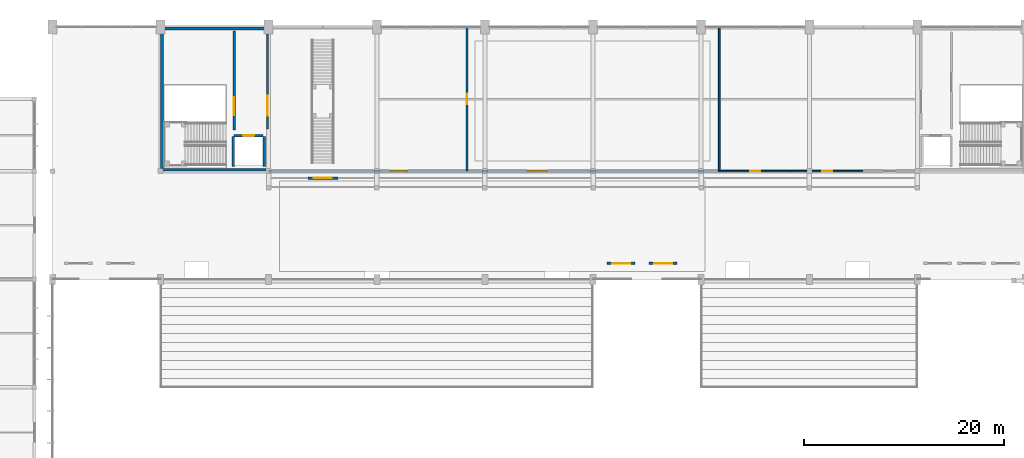
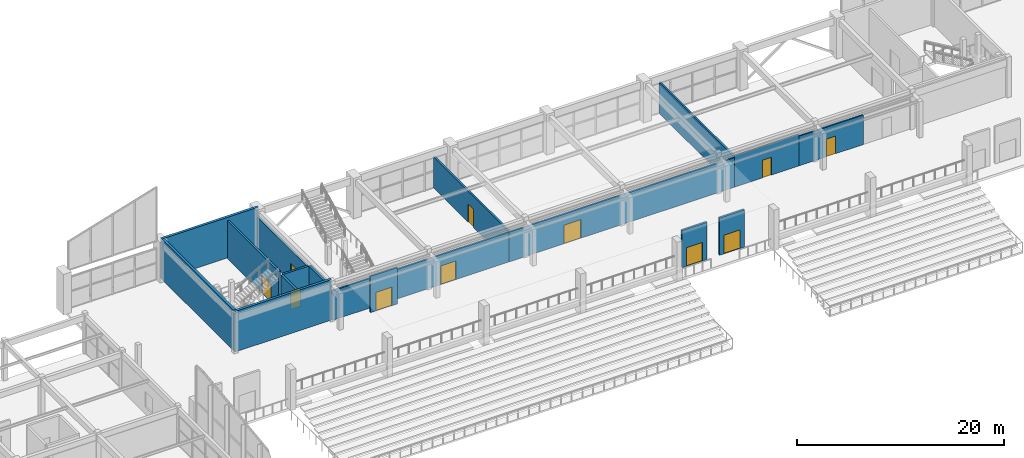
# One storey, part 52 of 74: 17 walls, 11 doors, 11 openings.
"""IFC4 building model written with IfcOpenShell, lengths in metres."""

from ifc_helpers import new_model, si_unit, direction, frame, frame_2d, origin, place, context, subcontext, project, spatial, rectangle, extrude, material, layer, layer_set, type_object, element, fill, save


model = new_model("IFC4")

# Units and contexts
model_context = context("Model", 3, precision=1e-05, world=origin(), true_north=direction((0.0, 1.0)))
body_context = subcontext(model_context, "Body", "Model", "MODEL_VIEW")
ifc_project = project(units=[si_unit("LENGTHUNIT", "METRE"), si_unit("AREAUNIT", "SQUARE_METRE"), si_unit("VOLUMEUNIT", "CUBIC_METRE"), si_unit("PLANEANGLEUNIT", "RADIAN"), si_unit("MASSUNIT", "GRAM", prefix="KILO")], contexts=[model_context])

# Site, building, storey
site_placement = place(None, origin())
site = spatial("IfcSite", under=ifc_project, at=site_placement, CompositionType="ELEMENT")
building_placement = place(site_placement, origin())
building = spatial("IfcBuilding", under=site, at=building_placement, Name="Suirenkawa Promenade Aquatics Centre", CompositionType="ELEMENT")
storey_placement = place(building_placement, frame((0.0, 0.0, 4.800048828125)))
storey = spatial("IfcBuildingStorey", under=building, at=storey_placement, Name="L01", CompositionType="ELEMENT", Elevation=4.800048828125)

# Wall, opening, door
ifc_material_1 = material(Name="Autoclaved aerated concrete blockwork Grade 1", Category="masonry")
ifc_layer_1 = layer(ifc_material_1, 0.199951171875, Name="Autoclaved aerated concrete blockwork Grade 1", Category="masonry")
ifc_layer_set_1 = layer_set([ifc_layer_1], Name="Autoclaved aerated concrete blockwork Grade 1")
wall_type_1 = type_object("IfcWallType", Name="WT-COMP-200", PredefinedType="PARTITIONING", material=ifc_layer_set_1)
wall_1_placement = place(storey_placement, frame((88.199951171875, 108.0, 0.0), z_axis=(0.0, 0.0, 1.0), x_axis=(0.0, 1.0, 0.0)))
wall_1 = element("IfcWall", 1, at=wall_1_placement, inside=storey, type_object=wall_type_1, Name="Interior wall WL-PRT-01 W-7324", PredefinedType="PARTITIONING", context=body_context, shape_type="SweptSolid", body=[
    extrude(rectangle(XDim=14.39990234375, YDim=0.199951171875, at=frame_2d((7.199951171875, 0.0))), origin(), (0.0, 0.0, 1.0), 3.68505859375),
])
opening_1_placement = place(wall_1_placement, frame((6.675048828125, 0.0, 0.0)))
opening_1 = element("IfcOpeningElement", 2, at=opening_1_placement, cuts=wall_1, Name="Opening ID-04", PredefinedType="OPENING", context=body_context, shape_type="SweptSolid", body=[
    extrude(rectangle(XDim=1.050048828125, YDim=2.14990234375, at=frame_2d((0.52490234375, 1.074951171875))), frame((0.0, 0.10986328125, 0.0), z_axis=(0.0, -1.0, 0.0), x_axis=(1.0, 0.0, 0.0)), (0.0, 0.0, 1.0), 0.219970703125),
])
ifc_material_2 = material(Name="Steel IS 2062 E350 (Grade 350)", Category="steel")
door_type_1 = type_object("IfcDoorType", Name="DT-FD120-1050x2150", OperationType="NOTDEFINED", PredefinedType="DOOR", material=ifc_material_2)
door_1_placement = place(opening_1_placement, origin())
door_1 = element("IfcDoor", 3, at=door_1_placement, inside=storey, type_object=door_type_1, Name="Interior door ID-04 DR-INT-0189", OperationType="SINGLE_SWING_RIGHT", OverallHeight=2.14990234375, OverallWidth=1.050048828125, PredefinedType="DOOR", context=body_context, shape_type="SweptSolid", body=[
    extrude(rectangle(XDim=1.050048828125, YDim=2.14990234375, at=frame_2d((0.52490234375, 1.074951171875))), frame((0.0, 0.02490234375, 0.0), z_axis=(0.0, -1.0, 0.0), x_axis=(1.0, 0.0, 0.0)), (0.0, 0.0, 1.0), 0.050048828125),
])
fill(opening_1, door_1)

# Walls
ifc_material_3 = material(Name="Concrete M40", Category="concrete")
ifc_layer_2 = layer(ifc_material_3, 0.280029296875, Name="Concrete M40", Category="concrete")
ifc_layer_set_2 = layer_set([ifc_layer_2], Name="Concrete M40")
wall_type_2 = type_object("IfcWallType", Name="WT-CORE-280", PredefinedType="SHEAR", material=ifc_layer_set_2)
for number, where, z_axis, x_axis, name in (
    (4, (57.60009765625, 108.139892578125, 0.0), (0.0, 0.0, 1.0), (1.0, 0.0, 0.0), "C3 south core wall WL-CORE-02 W-0117"),
    (5, (57.60009765625, 122.260009765625, 0.0), (0.0, 0.0, 1.0), (1.0, 0.0, 0.0), "C3 north core wall WL-CORE-02 W-0118"),
):
    element("IfcWall", number, at=place(storey_placement, frame(where, z_axis=z_axis, x_axis=x_axis)), inside=storey, type_object=wall_type_2, Name=name, PredefinedType="SHEAR", context=body_context, shape_type="SweptSolid", body=[
        extrude(rectangle(XDim=10.7998046875, YDim=0.280029296875, at=frame_2d((5.39990234375, 0.0))), origin(), (0.0, 0.0, 1.0), 4.800048828125),
    ])
wall_2_placement = place(storey_placement, frame((57.739990234375, 108.280029296875, 0.0), z_axis=(0.0, 0.0, 1.0), x_axis=(0.0, 1.0, 0.0)))
element("IfcWall", 6, at=wall_2_placement, inside=storey, type_object=wall_type_2, Name="C3 west core wall WL-CORE-02 W-0119", PredefinedType="SHEAR", context=body_context, shape_type="SweptSolid", body=[
    extrude(rectangle(XDim=13.840087890625, YDim=0.280029296875, at=frame_2d((6.919921875, 0.0))), origin(), (0.0, 0.0, 1.0), 4.800048828125),
])

# Wall, opening, door
ifc_layer_3 = layer(ifc_material_1, 0.179931640625, Name="Autoclaved aerated concrete blockwork Grade 1", Category="masonry")
ifc_layer_set_3 = layer_set([ifc_layer_3], Name="Autoclaved aerated concrete blockwork Grade 1")
wall_type_3 = type_object("IfcWallType", Name="WT-FIRE-180", PredefinedType="PARTITIONING", material=ifc_layer_set_3)
wall_3_placement = place(storey_placement, frame((68.39990234375, 108.0, 0.0), z_axis=(0.0, 0.0, 1.0), x_axis=(1.0, 0.0, 0.0)))
wall_3 = element("IfcWall", 7, at=wall_3_placement, inside=storey, type_object=wall_type_3, Name="Interior wall WL-PRT-02 W-7170", PredefinedType="PARTITIONING", context=body_context, shape_type="SweptSolid", body=[
    extrude(rectangle(XDim=19.800048828125, YDim=0.179931640625, at=frame_2d((9.89990234375, 0.0))), origin(), (0.0, 0.0, 1.0), 3.494873046875),
])
opening_2_placement = place(wall_3_placement, frame((12.199951171875, 0.0, 0.0)))
opening_2 = element("IfcOpeningElement", 8, at=opening_2_placement, cuts=wall_3, Name="Opening ID-05", PredefinedType="OPENING", context=body_context, shape_type="SweptSolid", body=[
    extrude(rectangle(XDim=1.64990234375, YDim=2.199951171875, at=frame_2d((0.824951171875, 1.10009765625))), frame((0.0, 0.099853515625, 0.0), z_axis=(0.0, -1.0, 0.0), x_axis=(1.0, 0.0, 0.0)), (0.0, 0.0, 1.0), 0.199951171875),
])
ifc_material_4 = material(Name="Engineered maple acoustic sports timber", Category="wood")
door_type_2 = type_object("IfcDoorType", Name="DT-FD60-1650x2200", OperationType="DOUBLE_DOOR_SINGLE_SWING", PredefinedType="DOOR", material=ifc_material_4)
door_2_placement = place(opening_2_placement, origin())
door_2 = element("IfcDoor", 9, at=door_2_placement, inside=storey, type_object=door_type_2, Name="Interior door ID-05 DR-INT-0107", OperationType="DOUBLE_DOOR_SINGLE_SWING", OverallHeight=2.199951171875, OverallWidth=1.64990234375, PredefinedType="DOOR", context=body_context, shape_type="SweptSolid", body=[
    extrude(rectangle(XDim=1.64990234375, YDim=2.199951171875, at=frame_2d((0.824951171875, 1.10009765625))), frame((0.0, 0.02490234375, 0.0), z_axis=(0.0, -1.0, 0.0), x_axis=(1.0, 0.0, 0.0)), (0.0, 0.0, 1.0), 0.050048828125),
])
fill(opening_2, door_2)

wall_4_placement = place(storey_placement, frame((88.199951171875, 108.0, 0.0), z_axis=(0.0, 0.0, 1.0), x_axis=(1.0, 0.0, 0.0)))
wall_4 = element("IfcWall", 10, at=wall_4_placement, inside=storey, type_object=wall_type_3, Name="Interior wall WL-PRT-02 W-7325", PredefinedType="PARTITIONING", context=body_context, shape_type="SweptSolid", body=[
    extrude(rectangle(XDim=25.199951171875, YDim=0.179931640625, at=frame_2d((12.60009765625, 0.0))), origin(), (0.0, 0.0, 1.0), 3.494873046875),
])
opening_3_placement = place(wall_4_placement, frame((6.10595703125, 0.0, 0.0)))
opening_3 = element("IfcOpeningElement", 11, at=opening_3_placement, cuts=wall_4, Name="Opening DR-FD60", PredefinedType="OPENING", context=body_context, shape_type="SweptSolid", body=[
    extrude(rectangle(XDim=1.89990234375, YDim=2.199951171875, at=frame_2d((0.949951171875, 1.10009765625))), frame((0.0, 0.099853515625, 0.0), z_axis=(0.0, -1.0, 0.0), x_axis=(1.0, 0.0, 0.0)), (0.0, 0.0, 1.0), 0.199951171875),
])
door_type_3 = type_object("IfcDoorType", Name="DT-FD60-1900x2200", OperationType="DOUBLE_DOOR_SINGLE_SWING", PredefinedType="DOOR", material=ifc_material_4)
door_3_placement = place(opening_3_placement, origin())
door_3 = element("IfcDoor", 12, at=door_3_placement, inside=storey, type_object=door_type_3, Name="Interior door DR-FD60 DR-INT-0190", OperationType="DOUBLE_DOOR_SINGLE_SWING", OverallHeight=2.199951171875, OverallWidth=1.89990234375, PredefinedType="DOOR", context=body_context, shape_type="SweptSolid", body=[
    extrude(rectangle(XDim=1.89990234375, YDim=2.199951171875, at=frame_2d((0.949951171875, 1.10009765625))), frame((0.0, 0.02490234375, 0.0), z_axis=(0.0, -1.0, 0.0), x_axis=(1.0, 0.0, 0.0)), (0.0, 0.0, 1.0), 0.050048828125),
])
fill(opening_3, door_3)

# Wall
wall_5_placement = place(storey_placement, frame((113.39990234375, 108.0, 0.0), z_axis=(0.0, 0.0, 1.0), x_axis=(0.0, 1.0, 0.0)))
element("IfcWall", 13, at=wall_5_placement, inside=storey, type_object=wall_type_3, Name="Interior wall WL-PRT-02 W-7326", PredefinedType="PARTITIONING", context=body_context, shape_type="SweptSolid", body=[
    extrude(rectangle(XDim=14.39990234375, YDim=0.179931640625, at=frame_2d((7.199951171875, 0.0))), origin(), (0.0, 0.0, 1.0), 3.68505859375),
])

# Wall, opening, door
ifc_material_5 = material(Name="Concrete M35", Category="concrete")
ifc_layer_4 = layer(ifc_material_5, 0.219970703125, Name="Concrete M35", Category="concrete")
ifc_layer_set_4 = layer_set([ifc_layer_4], Name="Concrete M35")
wall_type_4 = type_object("IfcWallType", Name="WT-LOBBY-220", PredefinedType="PARTITIONING", material=ifc_layer_set_4)
wall_6_placement = place(storey_placement, frame((64.949951171875, 112.10009765625, 0.0), z_axis=(0.0, 0.0, 1.0), x_axis=(0.0, 1.0, 0.0)))
wall_6 = element("IfcWall", 14, at=wall_6_placement, inside=storey, type_object=wall_type_4, Name="Interior wall WL-LOB-01 W-7082", PredefinedType="PARTITIONING", context=body_context, shape_type="SweptSolid", body=[
    extrude(rectangle(XDim=9.89990234375, YDim=0.219970703125, at=frame_2d((4.949951171875, 0.0))), origin(), (0.0, 0.0, 1.0), 4.5048828125),
])
opening_4_placement = place(wall_6_placement, frame((1.5, 0.0, 0.0)))
opening_4 = element("IfcOpeningElement", 15, at=opening_4_placement, cuts=wall_6, Name="Opening ID-02", PredefinedType="OPENING", context=body_context, shape_type="SweptSolid", body=[
    extrude(rectangle(XDim=1.800048828125, YDim=2.199951171875, at=frame_2d((0.89990234375, 1.10009765625))), frame((0.0, 0.119873046875, 0.0), z_axis=(0.0, -1.0, 0.0), x_axis=(1.0, 0.0, 0.0)), (0.0, 0.0, 1.0), 0.239990234375),
])
door_type_4 = type_object("IfcDoorType", Name="DT-FD120-1800x2200", OperationType="DOUBLE_DOOR_SINGLE_SWING", PredefinedType="DOOR", material=ifc_material_2)
door_4_placement = place(opening_4_placement, origin())
door_4 = element("IfcDoor", 16, at=door_4_placement, inside=storey, type_object=door_type_4, Name="Interior door ID-02 DR-INT-0054", OperationType="DOUBLE_DOOR_SINGLE_SWING", OverallHeight=2.199951171875, OverallWidth=1.800048828125, PredefinedType="DOOR", context=body_context, shape_type="SweptSolid", body=[
    extrude(rectangle(XDim=1.800048828125, YDim=2.199951171875, at=frame_2d((0.89990234375, 1.10009765625))), frame((0.0, 0.02490234375, 0.0), z_axis=(0.0, -1.0, 0.0), x_axis=(1.0, 0.0, 0.0)), (0.0, 0.0, 1.0), 0.050048828125),
])
fill(opening_4, door_4)

wall_7_placement = place(storey_placement, frame((68.2900390625, 112.199951171875, 0.0), z_axis=(0.0, 0.0, 1.0), x_axis=(0.0, 1.0, 0.0)))
wall_7 = element("IfcWall", 17, at=wall_7_placement, inside=storey, type_object=wall_type_4, Name="Interior wall WL-LOB-01 W-7086", PredefinedType="PARTITIONING", context=body_context, shape_type="SweptSolid", body=[
    extrude(rectangle(XDim=9.75, YDim=0.219970703125, at=frame_2d((4.875, 0.0))), origin(), (0.0, 0.0, 1.0), 3.784912109375),
])
opening_5_placement = place(wall_7_placement, frame((1.35009765625, 0.0, 0.0)))
opening_5 = element("IfcOpeningElement", 18, at=opening_5_placement, cuts=wall_7, Name="Opening ID-01", PredefinedType="OPENING", context=body_context, shape_type="SweptSolid", body=[
    extrude(rectangle(XDim=2.0, YDim=2.199951171875, at=frame_2d((1.0, 1.10009765625))), frame((0.0, 0.119873046875, 0.0), z_axis=(0.0, -1.0, 0.0), x_axis=(1.0, 0.0, 0.0)), (0.0, 0.0, 1.0), 0.239990234375),
])
door_type_5 = type_object("IfcDoorType", Name="DT-FD120-2000x2200", OperationType="DOUBLE_DOOR_SINGLE_SWING", PredefinedType="DOOR", material=ifc_material_2)
door_5_placement = place(opening_5_placement, origin())
door_5 = element("IfcDoor", 19, at=door_5_placement, inside=storey, type_object=door_type_5, Name="Interior door ID-01 DR-INT-0056", OperationType="DOUBLE_DOOR_SINGLE_SWING", OverallHeight=2.199951171875, OverallWidth=2.0, PredefinedType="DOOR", context=body_context, shape_type="SweptSolid", body=[
    extrude(rectangle(XDim=2.0, YDim=2.199951171875, at=frame_2d((1.0, 1.10009765625))), frame((0.0, 0.02490234375, 0.0), z_axis=(0.0, -1.0, 0.0), x_axis=(1.0, 0.0, 0.0)), (0.0, 0.0, 1.0), 0.050048828125),
])
fill(opening_5, door_5)

wall_8_placement = place(storey_placement, frame((102.199951171875, 98.800048828125, 0.0), z_axis=(0.0, 0.0, 1.0), x_axis=(1.0, 0.0, 0.0)))
wall_8 = element("IfcWall", 20, at=wall_8_placement, inside=storey, type_object=wall_type_4, Name="Interior wall WL-LOB-01 W-7394", PredefinedType="PARTITIONING", context=body_context, shape_type="SweptSolid", body=[
    extrude(rectangle(XDim=2.800048828125, YDim=0.219970703125, at=frame_2d((1.39990234375, 0.0))), origin(), (0.0, 0.0, 1.0), 4.385009765625),
])
opening_6_placement = place(wall_8_placement, frame((0.5, 0.0, 0.0)))
opening_6 = element("IfcOpeningElement", 21, at=opening_6_placement, cuts=wall_8, Name="Opening ID-02", PredefinedType="OPENING", context=body_context, shape_type="SweptSolid", body=[
    extrude(rectangle(XDim=1.800048828125, YDim=2.199951171875, at=frame_2d((0.89990234375, 1.10009765625))), frame((0.0, 0.119873046875, 0.0), z_axis=(0.0, -1.0, 0.0), x_axis=(1.0, 0.0, 0.0)), (0.0, 0.0, 1.0), 0.239990234375),
])
door_6_placement = place(opening_6_placement, origin())
door_6 = element("IfcDoor", 22, at=door_6_placement, inside=storey, type_object=door_type_4, Name="Interior door ID-02 DR-INT-0230", OperationType="DOUBLE_DOOR_SINGLE_SWING", OverallHeight=2.199951171875, OverallWidth=1.800048828125, PredefinedType="DOOR", context=body_context, shape_type="SweptSolid", body=[
    extrude(rectangle(XDim=1.800048828125, YDim=2.199951171875, at=frame_2d((0.89990234375, 1.10009765625))), frame((0.0, 0.02490234375, 0.0), z_axis=(0.0, -1.0, 0.0), x_axis=(1.0, 0.0, 0.0)), (0.0, 0.0, 1.0), 0.050048828125),
])
fill(opening_6, door_6)

wall_9_placement = place(storey_placement, frame((106.39990234375, 98.800048828125, 0.0), z_axis=(0.0, 0.0, 1.0), x_axis=(1.0, 0.0, 0.0)))
wall_9 = element("IfcWall", 23, at=wall_9_placement, inside=storey, type_object=wall_type_4, Name="Interior wall WL-LOB-01 W-7395", PredefinedType="PARTITIONING", context=body_context, shape_type="SweptSolid", body=[
    extrude(rectangle(XDim=2.800048828125, YDim=0.219970703125, at=frame_2d((1.39990234375, 0.0))), origin(), (0.0, 0.0, 1.0), 4.385009765625),
])
opening_7_placement = place(wall_9_placement, frame((0.5, 0.0, 0.0)))
opening_7 = element("IfcOpeningElement", 24, at=opening_7_placement, cuts=wall_9, Name="Opening ID-02", PredefinedType="OPENING", context=body_context, shape_type="SweptSolid", body=[
    extrude(rectangle(XDim=1.800048828125, YDim=2.199951171875, at=frame_2d((0.89990234375, 1.10009765625))), frame((0.0, 0.119873046875, 0.0), z_axis=(0.0, -1.0, 0.0), x_axis=(1.0, 0.0, 0.0)), (0.0, 0.0, 1.0), 0.239990234375),
])
door_7_placement = place(opening_7_placement, origin())
door_7 = element("IfcDoor", 25, at=door_7_placement, inside=storey, type_object=door_type_4, Name="Interior door ID-02 DR-INT-0231", OperationType="DOUBLE_DOOR_SINGLE_SWING", OverallHeight=2.199951171875, OverallWidth=1.800048828125, PredefinedType="DOOR", context=body_context, shape_type="SweptSolid", body=[
    extrude(rectangle(XDim=1.800048828125, YDim=2.199951171875, at=frame_2d((0.89990234375, 1.10009765625))), frame((0.0, 0.02490234375, 0.0), z_axis=(0.0, -1.0, 0.0), x_axis=(1.0, 0.0, 0.0)), (0.0, 0.0, 1.0), 0.050048828125),
])
fill(opening_7, door_7)

wall_10_placement = place(storey_placement, frame((72.300048828125, 107.300048828125, 0.0), z_axis=(0.0, 0.0, 1.0), x_axis=(1.0, 0.0, 0.0)))
wall_10 = element("IfcWall", 26, at=wall_10_placement, inside=storey, type_object=wall_type_4, Name="Interior wall WL-LOB-01 W-7408", PredefinedType="PARTITIONING", context=body_context, shape_type="SweptSolid", body=[
    extrude(rectangle(XDim=3.0, YDim=0.219970703125, at=frame_2d((1.5, 0.0))), origin(), (0.0, 0.0, 1.0), 4.2900390625),
])
opening_8_placement = place(wall_10_placement, frame((0.60009765625, 0.0, 0.0)))
opening_8 = element("IfcOpeningElement", 27, at=opening_8_placement, cuts=wall_10, Name="Opening ID-02", PredefinedType="OPENING", context=body_context, shape_type="SweptSolid", body=[
    extrude(rectangle(XDim=1.800048828125, YDim=2.199951171875, at=frame_2d((0.89990234375, 1.10009765625))), frame((0.0, 0.119873046875, 0.0), z_axis=(0.0, -1.0, 0.0), x_axis=(1.0, 0.0, 0.0)), (0.0, 0.0, 1.0), 0.239990234375),
])
door_8_placement = place(opening_8_placement, origin())
door_8 = element("IfcDoor", 28, at=door_8_placement, inside=storey, type_object=door_type_4, Name="Interior door ID-02 DR-INT-0244", OperationType="DOUBLE_DOOR_SINGLE_SWING", OverallHeight=2.199951171875, OverallWidth=1.800048828125, PredefinedType="DOOR", context=body_context, shape_type="SweptSolid", body=[
    extrude(rectangle(XDim=1.800048828125, YDim=2.199951171875, at=frame_2d((0.89990234375, 1.10009765625))), frame((0.0, 0.02490234375, 0.0), z_axis=(0.0, -1.0, 0.0), x_axis=(1.0, 0.0, 0.0)), (0.0, 0.0, 1.0), 0.050048828125),
])
fill(opening_8, door_8)

ifc_layer_5 = layer(ifc_material_3, 0.239990234375, Name="Concrete M40", Category="concrete")
ifc_layer_set_5 = layer_set([ifc_layer_5], Name="Concrete M40")
wall_type_5 = type_object("IfcWallType", Name="WT-SHAFT-240", PredefinedType="SOLIDWALL", material=ifc_layer_set_5)
wall_11_placement = place(storey_placement, frame((64.949951171875, 111.550048828125, 0.0), z_axis=(0.0, 0.0, 1.0), x_axis=(1.0, 0.0, 0.0)))
wall_11 = element("IfcWall", 29, at=wall_11_placement, inside=storey, type_object=wall_type_5, Name="Interior wall WL-SHF-01 W-7083", PredefinedType="SOLIDWALL", context=body_context, shape_type="SweptSolid", body=[
    extrude(rectangle(XDim=2.900146484375, YDim=0.239990234375, at=frame_2d((1.4501953125, 0.0))), origin(), (0.0, 0.0, 1.0), 4.5048828125),
])
opening_9_placement = place(wall_11_placement, frame((0.89990234375, 0.0, 0.0)))
opening_9 = element("IfcOpeningElement", 30, at=opening_9_placement, cuts=wall_11, Name="Opening LD-01", PredefinedType="OPENING", context=body_context, shape_type="SweptSolid", body=[
    extrude(rectangle(XDim=1.10009765625, YDim=2.14990234375, at=frame_2d((0.550048828125, 1.074951171875))), frame((0.0, 0.1298828125, 0.0), z_axis=(0.0, -1.0, 0.0), x_axis=(1.0, 0.0, 0.0)), (0.0, 0.0, 1.0), 0.260009765625),
])
ifc_material_6 = material(Name="Marine-grade stainless steel Grade 316L", Category="steel")
door_type_6 = type_object("IfcDoorType", Name="DT-LIFT-1100x2150", OperationType="DOUBLE_DOOR_SLIDING", PredefinedType="DOOR", material=ifc_material_6)
door_9_placement = place(opening_9_placement, origin())
door_9 = element("IfcDoor", 31, at=door_9_placement, inside=storey, type_object=door_type_6, Name="Landing door LD-01 DR-INT-0055", OperationType="DOUBLE_DOOR_SLIDING", OverallHeight=2.14990234375, OverallWidth=1.10009765625, PredefinedType="DOOR", context=body_context, shape_type="SweptSolid", body=[
    extrude(rectangle(XDim=1.10009765625, YDim=2.14990234375, at=frame_2d((0.550048828125, 1.074951171875))), frame((0.0, 0.02490234375, 0.0), z_axis=(0.0, -1.0, 0.0), x_axis=(1.0, 0.0, 0.0)), (0.0, 0.0, 1.0), 0.050048828125),
])
fill(opening_9, door_9)

# Walls
for number, where, z_axis, x_axis, name in (
    (32, (64.85009765625, 108.449951171875, 0.0), (0.0, 0.0, 1.0), (0.0, 1.0, 0.0), "Interior wall WL-SHF-01 W-7084"),
    (33, (67.949951171875, 108.449951171875, 0.0), (0.0, 0.0, 1.0), (0.0, 1.0, 0.0), "Interior wall WL-SHF-01 W-7085"),
):
    element("IfcWall", number, at=place(storey_placement, frame(where, z_axis=z_axis, x_axis=x_axis)), inside=storey, type_object=wall_type_5, Name=name, PredefinedType="SOLIDWALL", context=body_context, shape_type="SweptSolid", body=[
        extrude(rectangle(XDim=3.0, YDim=0.239990234375, at=frame_2d((1.5, 0.0))), origin(), (0.0, 0.0, 1.0), 4.5048828125),
    ])

# Wall, opening, door
ifc_layer_6 = layer(ifc_material_1, 0.159912109375, Name="Autoclaved aerated concrete blockwork Grade 1", Category="masonry")
ifc_layer_set_6 = layer_set([ifc_layer_6], Name="Autoclaved aerated concrete blockwork Grade 1")
wall_type_6 = type_object("IfcWallType", Name="WT-WET-160", PredefinedType="PARTITIONING", material=ifc_layer_set_6)
wall_12_placement = place(storey_placement, frame((113.39990234375, 108.0, 0.0), z_axis=(0.0, 0.0, 1.0), x_axis=(1.0, 0.0, 0.0)))
wall_12 = element("IfcWall", 34, at=wall_12_placement, inside=storey, type_object=wall_type_6, Name="Interior wall WL-PRT-03 W-7171", PredefinedType="PARTITIONING", context=body_context, shape_type="SweptSolid", body=[
    extrude(rectangle(XDim=7.2001953125, YDim=0.159912109375, at=frame_2d((3.60009765625, 0.0))), origin(), (0.0, 0.0, 1.0), 3.68505859375),
])
opening_10_placement = place(wall_12_placement, frame((3.10009765625, 0.0, 0.0)))
opening_10 = element("IfcOpeningElement", 35, at=opening_10_placement, cuts=wall_12, Name="Opening ID-07", PredefinedType="OPENING", context=body_context, shape_type="SweptSolid", body=[
    extrude(rectangle(XDim=1.0, YDim=2.10009765625, at=frame_2d((0.5, 1.050048828125))), frame((0.0, 0.08984375, 0.0), z_axis=(0.0, -1.0, 0.0), x_axis=(1.0, 0.0, 0.0)), (0.0, 0.0, 1.0), 0.179931640625),
])
door_type_7 = type_object("IfcDoorType", Name="DT-FD60-1000x2100", OperationType="NOTDEFINED", PredefinedType="DOOR", material=ifc_material_4)
door_10_placement = place(opening_10_placement, origin())
door_10 = element("IfcDoor", 36, at=door_10_placement, inside=storey, type_object=door_type_7, Name="Interior door ID-07 DR-INT-0108", OperationType="SINGLE_SWING_RIGHT", OverallHeight=2.10009765625, OverallWidth=1.0, PredefinedType="DOOR", context=body_context, shape_type="SweptSolid", body=[
    extrude(rectangle(XDim=1.0, YDim=2.10009765625, at=frame_2d((0.5, 1.050048828125))), frame((0.0, 0.02490234375, 0.0), z_axis=(0.0, -1.0, 0.0), x_axis=(1.0, 0.0, 0.0)), (0.0, 0.0, 1.0), 0.050048828125),
])
fill(opening_10, door_10)

wall_13_placement = place(storey_placement, frame((120.60009765625, 108.0, 0.0), z_axis=(0.0, 0.0, 1.0), x_axis=(1.0, 0.0, 0.0)))
wall_13 = element("IfcWall", 37, at=wall_13_placement, inside=storey, type_object=wall_type_6, Name="Interior wall WL-PRT-03 W-7172", PredefinedType="PARTITIONING", context=body_context, shape_type="SweptSolid", body=[
    extrude(rectangle(XDim=7.199951171875, YDim=0.159912109375, at=frame_2d((3.60009765625, 0.0))), origin(), (0.0, 0.0, 1.0), 3.494873046875),
])
opening_11_placement = place(wall_13_placement, frame((3.10009765625, 0.0, 0.0)))
opening_11 = element("IfcOpeningElement", 38, at=opening_11_placement, cuts=wall_13, Name="Opening ID-07", PredefinedType="OPENING", context=body_context, shape_type="SweptSolid", body=[
    extrude(rectangle(XDim=1.0, YDim=2.10009765625, at=frame_2d((0.5, 1.050048828125))), frame((0.0, 0.08984375, 0.0), z_axis=(0.0, -1.0, 0.0), x_axis=(1.0, 0.0, 0.0)), (0.0, 0.0, 1.0), 0.179931640625),
])
door_11_placement = place(opening_11_placement, origin())
door_11 = element("IfcDoor", 39, at=door_11_placement, inside=storey, type_object=door_type_7, Name="Interior door ID-07 DR-INT-0109", OperationType="SINGLE_SWING_LEFT", OverallHeight=2.10009765625, OverallWidth=1.0, PredefinedType="DOOR", context=body_context, shape_type="SweptSolid", body=[
    extrude(rectangle(XDim=1.0, YDim=2.10009765625, at=frame_2d((0.5, 1.050048828125))), frame((0.0, 0.02490234375, 0.0), z_axis=(0.0, -1.0, 0.0), x_axis=(1.0, 0.0, 0.0)), (0.0, 0.0, 1.0), 0.050048828125),
])
fill(opening_11, door_11)

save(model, "model.ifc")
